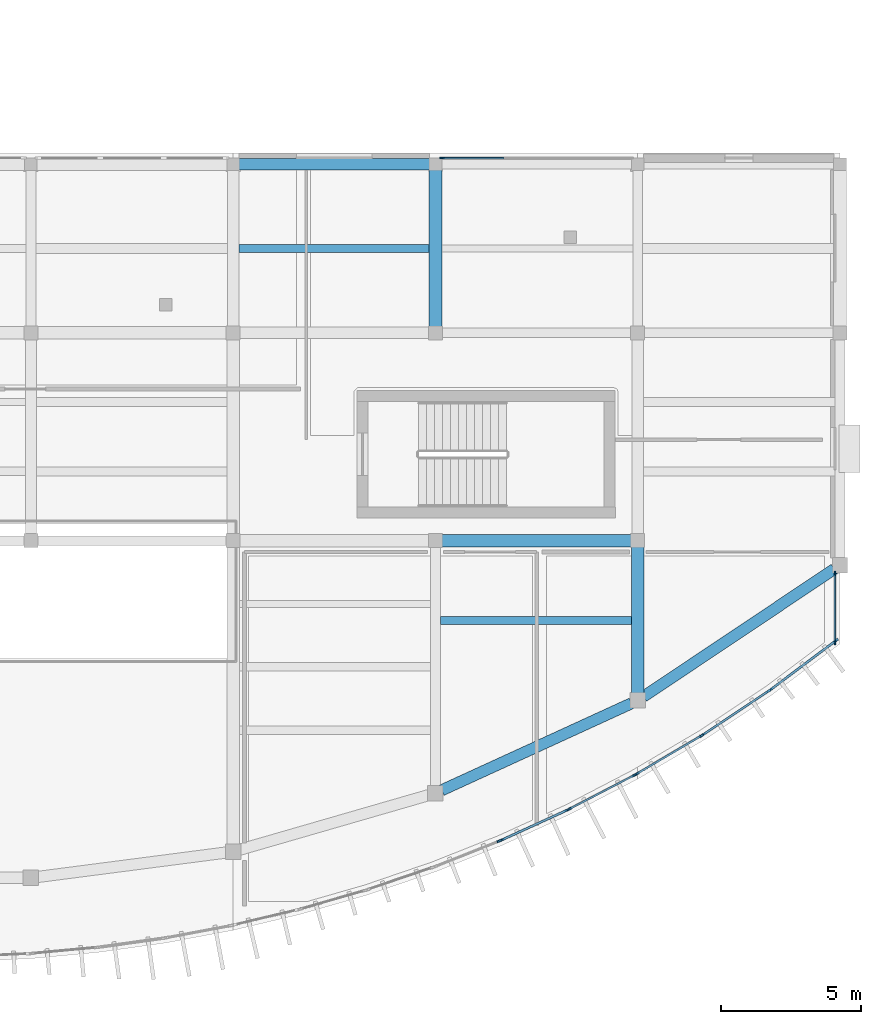
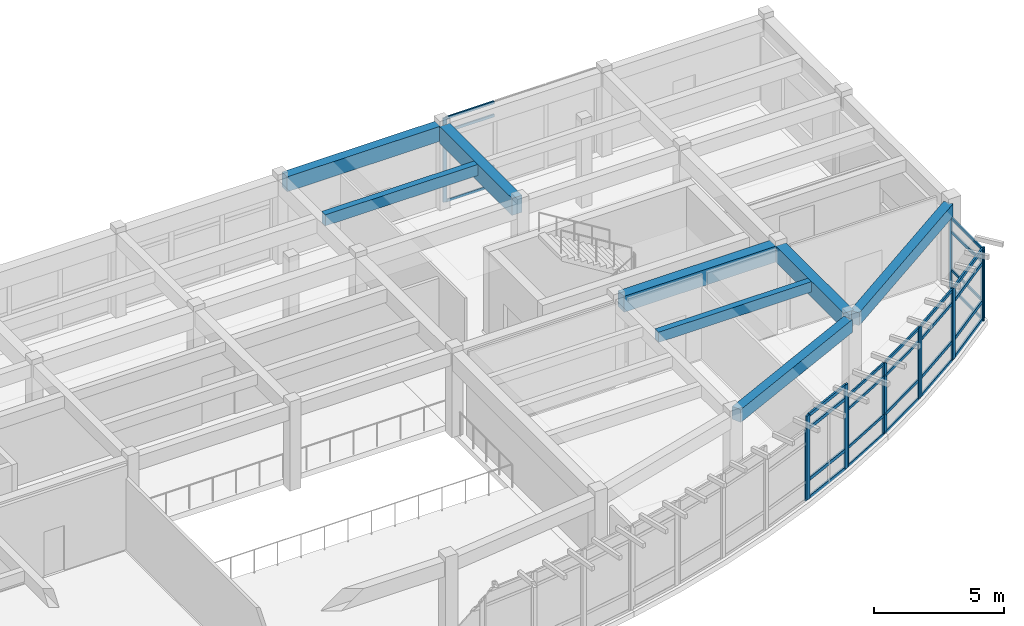
# One storey, part 25 of 60: 42 members, 8 beams, 8 elements without a shape of their own.
"""IFC4 building model written with IfcOpenShell, lengths in metres."""

import ifcopenshell
import ifcopenshell.guid

model = None  # the IFC model being written
_history = None  # IfcOwnerHistory: only IFC2X3 demands one
_inside = {}  # id of a spatial element -> (the spatial element, [elements in it])
_under = {}  # id of a project, library or spatial element -> (it, [spatial elements below it])
_declared = {}  # id of a project -> (the project, [libraries it declares])
_typed = {}  # id of a type object -> (the type object, [elements of that type])
_made_of = {}  # id of a material, layer set ... -> (it, [elements and type objects made of it])


def new_model(schema):
    """Start an empty IFC model of exactly this schema.

    Asked for "IFC4X3", IfcOpenShell would pick the latest addendum, in which some entities
    have other attributes; the version numbers below select the first issue.
    IFC2X3 requires an IfcOwnerHistory on every rooted entity: one is made here for all.
    """
    global model, _history
    if schema == "IFC4X3":
        model = ifcopenshell.file(schema_version=(4, 3, 0, 0))
    else:
        model = ifcopenshell.file(schema=schema)
    _inside.clear()
    _under.clear()
    _declared.clear()
    _typed.clear()
    _made_of.clear()
    _history = None
    if model.schema == "IFC2X3":
        org = make("IfcOrganization", Name="unknown")
        user = make(
            "IfcPersonAndOrganization",
            ThePerson=make("IfcPerson", FamilyName="unknown"),
            TheOrganization=org,
        )
        app = make(
            "IfcApplication",
            ApplicationDeveloper=org,
            Version="unknown",
            ApplicationFullName="unknown",
            ApplicationIdentifier="unknown",
        )
        _history = make(
            "IfcOwnerHistory",
            OwningUser=user,
            OwningApplication=app,
            ChangeAction="ADDED",
            CreationDate=0,
        )
    return model


def make(cls, **values):
    """One entity of the class cls with the attributes given. An attribute that is None is left unset."""
    return model.create_entity(
        cls, **{name: value for name, value in values.items() if value is not None}
    )


def rooted(cls, **values):
    """An entity with a GlobalId (a new one), such as an element, a storey or a relation."""
    return make(cls, GlobalId=ifcopenshell.guid.new(), OwnerHistory=_history, **values)


def si_unit(unit_type, name, prefix=None):
    """IfcSIUnit, for example si_unit("LENGTHUNIT", "METRE", prefix="MILLI")."""
    return make("IfcSIUnit", UnitType=unit_type, Prefix=prefix, Name=name)


def assignment(units):
    """IfcUnitAssignment: the units of a project."""
    return None if units is None else make("IfcUnitAssignment", Units=units)


def point(xyz):
    """IfcCartesianPoint."""
    return None if xyz is None else make("IfcCartesianPoint", Coordinates=xyz)


def direction(xyz):
    """IfcDirection."""
    return None if xyz is None else make("IfcDirection", DirectionRatios=xyz)


def frame(location, z_axis=None, x_axis=None):
    """IfcAxis2Placement3D, a coordinate frame: its origin and axes. An axis left out is left unset."""
    return make(
        "IfcAxis2Placement3D",
        Location=point(location),
        Axis=direction(z_axis),
        RefDirection=direction(x_axis),
    )


def frame_2d(location, x_axis=None):
    """IfcAxis2Placement2D, a coordinate frame in the plane: its origin and x axis."""
    return make(
        "IfcAxis2Placement2D", Location=point(location), RefDirection=direction(x_axis)
    )


def origin():
    """The frame at (0, 0, 0) with its axes left unset."""
    return frame((0.0, 0.0, 0.0))


def origin_2d():
    """The frame at (0, 0) in the plane with its x axis left unset."""
    return frame_2d((0.0, 0.0))


def place(relative_to, where):
    """IfcLocalPlacement: puts the frame where relative to a parent placement (None: the world)."""
    return make(
        "IfcLocalPlacement", PlacementRelTo=relative_to, RelativePlacement=where
    )


def context(
    kind, dimensions, precision=None, world=None, true_north=None, identifier=None
):
    """IfcGeometricRepresentationContext, for example the 3D "Model" context."""
    return make(
        "IfcGeometricRepresentationContext",
        ContextIdentifier=identifier,
        ContextType=kind,
        CoordinateSpaceDimension=dimensions,
        Precision=precision,
        WorldCoordinateSystem=world,
        TrueNorth=true_north,
    )


def subcontext(parent, identifier, kind, view, scale=None):
    """IfcGeometricRepresentationSubContext, for example "Body" below "Model"."""
    return make(
        "IfcGeometricRepresentationSubContext",
        ContextIdentifier=identifier,
        ContextType=kind,
        ParentContext=parent,
        TargetScale=scale,
        TargetView=view,
    )


def project(units=None, contexts=None):
    """IfcProject with its units and contexts."""
    return rooted(
        "IfcProject",
        Name="project",
        RepresentationContexts=contexts,
        UnitsInContext=assignment(units),
    )


def spatial(cls, under=None, at=None, **own):
    """A site, building, storey or space (cls), placed at a placement, below another one or the project."""
    s = rooted(cls, ObjectPlacement=at, **own)
    if under is not None:
        _under.setdefault(under.id(), (under, []))[1].append(s)
    return s


def profile(cls, at=None, kind="AREA", **sizes):
    """A parametric profile (cls). Its sizes go by their IFC names, for example OverallWidth=200.0."""
    return make(cls, ProfileType=kind, Position=at, **sizes)


def rectangle(**sizes):
    """IfcRectangleProfileDef."""
    return profile("IfcRectangleProfileDef", **sizes)


def extrude(swept, where, along, depth):
    """IfcExtrudedAreaSolid: the profile swept, set in the frame where, extruded along a direction by depth."""
    return make(
        "IfcExtrudedAreaSolid",
        SweptArea=swept,
        Position=where,
        ExtrudedDirection=direction(along),
        Depth=depth,
    )


def shape(context_of_items, identifier, shape_type, items):
    """IfcShapeRepresentation: the items that make up one representation, for example the "Body"."""
    return make(
        "IfcShapeRepresentation",
        ContextOfItems=context_of_items,
        RepresentationIdentifier=identifier,
        RepresentationType=shape_type,
        Items=items,
    )


def material(Name=None, Category=None):
    """IfcMaterial."""
    return make("IfcMaterial", Name=Name, Category=Category)


def layer(
    of_material, thickness, ventilated=None, Name=None, Category=None, Priority=None
):
    """IfcMaterialLayer: one layer of a wall or slab, of a material (None: an air gap)."""
    return make(
        "IfcMaterialLayer",
        Material=of_material,
        LayerThickness=thickness,
        IsVentilated=ventilated,
        Name=Name,
        Category=Category,
        Priority=Priority,
    )


def layer_set(layers, Name=None):
    """IfcMaterialLayerSet."""
    return make("IfcMaterialLayerSet", MaterialLayers=layers, LayerSetName=Name)


def material_profile(
    of_material, cross_section, Name=None, Category=None, Priority=None
):
    """IfcMaterialProfile: a cross section and its material."""
    return make(
        "IfcMaterialProfile",
        Name=Name,
        Material=of_material,
        Profile=cross_section,
        Priority=Priority,
        Category=Category,
    )


def profile_set(profiles, Name=None, composite=None):
    """IfcMaterialProfileSet."""
    return make(
        "IfcMaterialProfileSet",
        Name=Name,
        MaterialProfiles=profiles,
        CompositeProfile=composite,
    )


def made_of(thing, what):
    """Note that an element or type object is made of a material, layer set ...; save() writes the relation."""
    if what is not None:
        _made_of.setdefault(what.id(), (what, []))[1].append(thing)
    return thing


def type_object(cls, material=None, **own):
    """A type object (cls), such as IfcWallType, which elements share."""
    return made_of(rooted(cls, **own), material)


def element(
    cls,
    number,
    at=None,
    inside=None,
    cuts=None,
    type_object=None,
    material=None,
    context=None,
    identifier="Body",
    shape_type=None,
    held_by="IfcProductDefinitionShape",
    body=None,
    shapes=None,
    **own,
):
    """One element of the class cls, such as IfcWall. Its Tag is "e" and its number.

    at: its placement. inside: the storey or other place that contains it. cuts: it is an
    opening in that element (IfcRelVoidsElement). A single representation is given by context,
    identifier, shape_type and body (its items); several are given by shapes. held_by: the class
    of the entity that holds the representations. save() writes the other relations.
    """
    e = rooted(cls, Tag="e%d" % number, ObjectPlacement=at, **own)
    if body is not None:
        shapes = [shape(context, identifier, shape_type, body)]
    if shapes is not None:
        e.Representation = make(held_by, Representations=shapes)
    if inside is not None:
        _inside.setdefault(inside.id(), (inside, []))[1].append(e)
    if cuts is not None:
        rooted(
            "IfcRelVoidsElement", RelatingBuildingElement=cuts, RelatedOpeningElement=e
        )
    if type_object is not None:
        _typed.setdefault(type_object.id(), (type_object, []))[1].append(e)
    return made_of(e, material)


def aggregate(whole, parts):
    """IfcRelAggregates: a whole, such as a stair, and the parts it consists of."""
    return rooted("IfcRelAggregates", RelatingObject=whole, RelatedObjects=parts)


def save(model, path):
    """Write the relations noted so far, then the file.

    IfcRelAggregates (storeys below a building ...), IfcRelContainedInSpatialStructure (elements
    in a storey), IfcRelDefinesByType, IfcRelAssociatesMaterial and IfcRelDeclares: one each for
    every whole, place, type object, material and project.
    """
    for whole, parts in _under.values():
        aggregate(whole, parts)
    for where, things in _inside.values():
        rooted(
            "IfcRelContainedInSpatialStructure",
            RelatedElements=things,
            RelatingStructure=where,
        )
    for kind, things in _typed.values():
        rooted("IfcRelDefinesByType", RelatedObjects=things, RelatingType=kind)
    for what, things in _made_of.values():
        rooted("IfcRelAssociatesMaterial", RelatedObjects=things, RelatingMaterial=what)
    for by, libraries in _declared.values():
        rooted("IfcRelDeclares", RelatingContext=by, RelatedDefinitions=libraries)
    model.write(path)


model = new_model("IFC4")

# Units and contexts
model_context = context("Model", 3, precision=1e-05, world=origin(), true_north=direction((0.0, 1.0)))
body_context = subcontext(model_context, "Body", "Model", "MODEL_VIEW")
ifc_project = project(units=[si_unit("LENGTHUNIT", "METRE"), si_unit("AREAUNIT", "SQUARE_METRE"), si_unit("VOLUMEUNIT", "CUBIC_METRE"), si_unit("PLANEANGLEUNIT", "RADIAN"), si_unit("MASSUNIT", "GRAM", prefix="KILO")], contexts=[model_context])

# Site, building, storey
site_placement = place(None, origin())
site = spatial("IfcSite", under=ifc_project, at=site_placement, CompositionType="ELEMENT")
building_placement = place(site_placement, origin())
building = spatial("IfcBuilding", under=site, at=building_placement, Name="Brisavento Harbour Community Centre", CompositionType="ELEMENT")
storey_placement = place(building_placement, frame((0.0, 0.0, 4.5)))
storey = spatial("IfcBuildingStorey", under=building, at=storey_placement, Name="L01", CompositionType="ELEMENT", Elevation=4.5)

# Beams
ifc_material_1 = material(Name="Concrete C35/45", Category="concrete")
ifc_material_profile_1 = material_profile(ifc_material_1, rectangle(XDim=0.280029296875, YDim=0.47998046875, at=origin_2d()), Name="Concrete C35/45")
ifc_profile_set_1 = profile_set([ifc_material_profile_1], Name="Concrete C35/45")
beam_type_1 = type_object("IfcBeamType", Name="BM-JST-280x480", PredefinedType="JOIST", material=ifc_profile_set_1)
beam_1_placement = place(storey_placement, frame((158.574951171875, 12.156982421875, 3.7099609375), z_axis=(1.0, 0.0, 0.0), x_axis=(0.0, 1.0, 0.0)))
element("IfcBeam", 1, at=beam_1_placement, inside=storey, type_object=beam_type_1, Name="L01 secondary floor joist 0279", PredefinedType="JOIST", context=body_context, shape_type="SweptSolid", body=[
    extrude(rectangle(XDim=0.280029296875, YDim=0.47998046875, at=origin_2d()), origin(), (0.0, 0.0, 1.0), 6.800048828125),
])
ifc_material_profile_2 = material_profile(ifc_material_1, rectangle(XDim=0.280029296875, YDim=0.52001953125, at=origin_2d()), Name="Concrete C35/45")
ifc_profile_set_2 = profile_set([ifc_material_profile_2], Name="Concrete C35/45")
beam_type_2 = type_object("IfcBeamType", Name="BM-JST-280x520", PredefinedType="JOIST", material=ifc_profile_set_2)
beam_2_placement = place(storey_placement, frame((151.39990234375, 25.39990234375, 3.68994140625), z_axis=(1.0, 0.0, 0.0), x_axis=(0.0, 1.0, 0.0)))
element("IfcBeam", 2, at=beam_2_placement, inside=storey, type_object=beam_type_2, Name="L01 secondary floor joist 0278", PredefinedType="JOIST", context=body_context, shape_type="SweptSolid", body=[
    extrude(rectangle(XDim=0.280029296875, YDim=0.52001953125, at=origin_2d()), origin(), (0.0, 0.0, 1.0), 6.775146484375),
])
ifc_material_profile_3 = material_profile(ifc_material_1, rectangle(XDim=0.39990234375, YDim=0.699951171875, at=origin_2d()), Name="Concrete C35/45")
ifc_profile_set_3 = profile_set([ifc_material_profile_3], Name="Concrete C35/45")
beam_type_3 = type_object("IfcBeamType", Name="BM-RC-400x700", PredefinedType="BEAM", material=ifc_profile_set_3)
beam_3_placement = place(storey_placement, frame((151.39501953125, 28.39990234375, 3.60009765625), z_axis=(1.0, 0.0, 0.0), x_axis=(0.0, 1.0, 0.0)))
element("IfcBeam", 3, at=beam_3_placement, inside=storey, type_object=beam_type_3, Name="L01 primary girder X0437", PredefinedType="BEAM", context=body_context, shape_type="SweptSolid", body=[
    extrude(rectangle(XDim=0.39990234375, YDim=0.699951171875, at=origin_2d()), origin(), (0.0, 0.0, 1.0), 6.81005859375),
])
ifc_material_profile_4 = material_profile(ifc_material_1, rectangle(XDim=0.449951171875, YDim=0.75, at=origin_2d()), Name="Concrete C35/45")
ifc_profile_set_4 = profile_set([ifc_material_profile_4], Name="Concrete C35/45")
beam_type_4 = type_object("IfcBeamType", Name="BM-RC-450x750", PredefinedType="BEAM", material=ifc_profile_set_4)
beam_4_placement = place(storey_placement, frame((158.6201171875, 15.0, 3.574951171875), z_axis=(1.0, 0.0, 0.0), x_axis=(0.0, 1.0, 0.0)))
element("IfcBeam", 4, at=beam_4_placement, inside=storey, type_object=beam_type_4, Name="L01 primary girder X0416", PredefinedType="BEAM", context=body_context, shape_type="SweptSolid", body=[
    extrude(rectangle(XDim=0.449951171875, YDim=0.75, at=origin_2d()), origin(), (0.0, 0.0, 1.0), 6.759765625),
])
beam_5_placement = place(storey_placement, frame((165.60009765625, 9.55908203125, 3.574951171875), z_axis=(0.0, 1.0, 0.0), x_axis=(-1.0, 0.0, 0.0)))
element("IfcBeam", 5, at=beam_5_placement, inside=storey, type_object=beam_type_4, Name="L01 primary girder Y0526", PredefinedType="BEAM", context=body_context, shape_type="SweptSolid", body=[
    extrude(rectangle(XDim=0.449951171875, YDim=0.75, at=origin_2d()), origin(), (0.0, 0.0, 1.0), 5.220947265625),
])
ifc_material_profile_5 = material_profile(ifc_material_1, rectangle(XDim=0.449951171875, YDim=0.800048828125, at=origin_2d()), Name="Concrete C35/45")
ifc_profile_set_5 = profile_set([ifc_material_profile_5], Name="Concrete C35/45")
beam_type_5 = type_object("IfcBeamType", Name="BM-RC-450x800", PredefinedType="BEAM", material=ifc_profile_set_5)
beam_6_placement = place(storey_placement, frame((158.39990234375, 22.6201171875, 3.550048828125), z_axis=(0.0, 1.0, 0.0), x_axis=(-1.0, 0.0, 0.0)))
element("IfcBeam", 6, at=beam_6_placement, inside=storey, type_object=beam_type_5, Name="L01 primary girder Y0525", PredefinedType="BEAM", context=body_context, shape_type="SweptSolid", body=[
    extrude(rectangle(XDim=0.449951171875, YDim=0.800048828125, at=origin_2d()), origin(), (0.0, 0.0, 1.0), 5.5849609375),
])
ifc_material_profile_6 = material_profile(ifc_material_1, rectangle(XDim=0.39990234375, YDim=0.60009765625, at=origin_2d()), Name="Concrete C35/45")
ifc_profile_set_6 = profile_set([ifc_material_profile_6], Name="Concrete C35/45")
beam_type_6 = type_object("IfcBeamType", Name="BM-SPN-400x600", PredefinedType="SPANDREL", material=ifc_profile_set_6)
beam_7_placement = place(storey_placement, frame((158.622802734375, 6.1171875, 3.64990234375), z_axis=(0.909117712907, 0.416539294759, 0.0), x_axis=(-0.416539294759, 0.909117712907, 0.0)))
element("IfcBeam", 7, at=beam_7_placement, inside=storey, type_object=beam_type_6, Name="L01 curved perimeter spandrel 0542", PredefinedType="SPANDREL", context=body_context, shape_type="SweptSolid", body=[
    extrude(rectangle(XDim=0.39990234375, YDim=0.60009765625, at=origin_2d()), origin(), (0.0, 0.0, 1.0), 7.4296875),
])
beam_8_placement = place(storey_placement, frame((165.8037109375, 9.4501953125, 3.64990234375), z_axis=(0.831304857774, 0.555816726486, 0.0), x_axis=(-0.555816726486, 0.831304857774, 0.0)))
element("IfcBeam", 8, at=beam_8_placement, inside=storey, type_object=beam_type_6, Name="L01 curved perimeter spandrel 0543", PredefinedType="SPANDREL", context=body_context, shape_type="SweptSolid", body=[
    extrude(rectangle(XDim=0.39990234375, YDim=0.60009765625, at=origin_2d()), origin(), (0.0, 0.0, 1.0), 8.1708984375),
])

# Curtain wall, members
ifc_material_2 = material(Name="Marine-anodised aluminium AW-6063-T6", Category="aluminium")
ifc_layer_1 = layer(ifc_material_2, 0.179931640625, Name="Marine-anodised aluminium AW-6063-T6")
ifc_layer_set_1 = layer_set([ifc_layer_1], Name="Marine-anodised aluminium AW-6063-T6")
curtain_wall_type_1 = type_object("IfcCurtainWallType", Name="CW-SYS-25", PredefinedType="USERDEFINED", material=ifc_layer_set_1)
curtain_wall_1_placement = place(storey_placement, origin())
curtain_wall_1 = element("IfcCurtainWall", 9, at=curtain_wall_1_placement, inside=storey, type_object=curtain_wall_type_1, Name="L01 V3 unitised curtain wall 081", ObjectType="UNITISED CURTAIN WALL", PredefinedType="USERDEFINED")
ifc_material_profile_7 = material_profile(ifc_material_2, rectangle(XDim=0.06494140625, YDim=0.1650390625, at=origin_2d()), Name="Marine-anodised aluminium AW-6063-T6")
ifc_profile_set_7 = profile_set([ifc_material_profile_7], Name="Marine-anodised aluminium AW-6063-T6")
member_type_1 = type_object("IfcMemberType", Name="CWM-01", PredefinedType="MULLION", material=ifc_profile_set_7)
member_1_placement = place(storey_placement, frame((165.47216796875, 6.650634765625, 0.0), z_axis=(0.0, 0.0, 1.0), x_axis=(0.461718322689, -0.887026600781, 0.0)))
member_1 = element("IfcMember", 10, at=member_1_placement, type_object=member_type_1, Name="CW-25 mullion 1", PredefinedType="MULLION", context=body_context, shape_type="SweptSolid", body=[
    extrude(rectangle(XDim=0.06494140625, YDim=0.1650390625, at=origin_2d()), origin(), (0.0, 0.0, 1.0), 3.35009765625),
])
member_2_placement = place(storey_placement, frame((163.16162109375, 5.447998046875, 0.0), z_axis=(0.0, 0.0, 1.0), x_axis=(0.461718322689, -0.887026600781, 0.0)))
member_2 = element("IfcMember", 11, at=member_2_placement, type_object=member_type_1, Name="CW-25 mullion 2", PredefinedType="MULLION", context=body_context, shape_type="SweptSolid", body=[
    extrude(rectangle(XDim=0.06494140625, YDim=0.1650390625, at=origin_2d()), origin(), (0.0, 0.0, 1.0), 3.35009765625),
])

ifc_layer_2 = layer(ifc_material_2, 0.179931640625, Name="Marine-anodised aluminium AW-6063-T6")
ifc_layer_set_2 = layer_set([ifc_layer_2], Name="Marine-anodised aluminium AW-6063-T6")
curtain_wall_type_2 = type_object("IfcCurtainWallType", Name="CW-SYS-01", PredefinedType="USERDEFINED", material=ifc_layer_set_2)
curtain_wall_2_placement = place(storey_placement, origin())
curtain_wall_2 = element("IfcCurtainWall", 12, at=curtain_wall_2_placement, inside=storey, type_object=curtain_wall_type_2, Name="L01 V3 unitised curtain wall 085", ObjectType="UNITISED CURTAIN WALL", PredefinedType="USERDEFINED")
member_3_placement = place(storey_placement, frame((172.6201171875, 13.83544921875, 0.0), z_axis=(0.0, 0.0, 1.0), x_axis=(1.0, 0.0, 0.0)))
member_3 = element("IfcMember", 13, at=member_3_placement, type_object=member_type_1, Name="CW-01 mullion 1", PredefinedType="MULLION", context=body_context, shape_type="SweptSolid", body=[
    extrude(rectangle(XDim=0.06494140625, YDim=0.1650390625, at=origin_2d()), origin(), (0.0, 0.0, 1.0), 3.35009765625),
])
member_4_placement = place(storey_placement, frame((172.6201171875, 11.378173828125, 0.0), z_axis=(0.0, 0.0, 1.0), x_axis=(1.0, 0.0, 0.0)))
member_4 = element("IfcMember", 14, at=member_4_placement, type_object=member_type_1, Name="CW-01 mullion 2", PredefinedType="MULLION", context=body_context, shape_type="SweptSolid", body=[
    extrude(rectangle(XDim=0.06494140625, YDim=0.1650390625, at=origin_2d()), origin(), (0.0, 0.0, 1.0), 3.35009765625),
])

# Curtain wall, member
ifc_layer_3 = layer(ifc_material_2, 0.179931640625, Name="Marine-anodised aluminium AW-6063-T6")
ifc_layer_set_3 = layer_set([ifc_layer_3], Name="Marine-anodised aluminium AW-6063-T6")
curtain_wall_type_3 = type_object("IfcCurtainWallType", Name="CW-SYS-05", PredefinedType="USERDEFINED", material=ifc_layer_set_3)
curtain_wall_3_placement = place(storey_placement, origin())
curtain_wall_3 = element("IfcCurtainWall", 15, at=curtain_wall_3_placement, inside=storey, type_object=curtain_wall_type_3, Name="L01 V3 unitised curtain wall 089", ObjectType="UNITISED CURTAIN WALL", PredefinedType="USERDEFINED")
member_5_placement = place(storey_placement, frame((158.642578125, 28.6201171875, 0.0), z_axis=(0.0, 0.0, 1.0), x_axis=(0.0, 1.0, 0.0)))
member_5 = element("IfcMember", 16, at=member_5_placement, type_object=member_type_1, Name="CW-05 mullion 1", PredefinedType="MULLION", context=body_context, shape_type="SweptSolid", body=[
    extrude(rectangle(XDim=0.06494140625, YDim=0.1650390625, at=origin_2d()), origin(), (0.0, 0.0, 1.0), 3.949951171875),
])

# Curtain wall, members
ifc_layer_4 = layer(ifc_material_2, 0.179931640625, Name="Marine-anodised aluminium AW-6063-T6")
ifc_layer_set_4 = layer_set([ifc_layer_4], Name="Marine-anodised aluminium AW-6063-T6")
curtain_wall_type_4 = type_object("IfcCurtainWallType", Name="CW-SYS-26", PredefinedType="USERDEFINED", material=ifc_layer_set_4)
curtain_wall_4_placement = place(storey_placement, origin())
curtain_wall_4 = element("IfcCurtainWall", 17, at=curtain_wall_4_placement, inside=storey, type_object=curtain_wall_type_4, Name="L01 V3 unitised curtain wall 082", ObjectType="UNITISED CURTAIN WALL", PredefinedType="USERDEFINED")
ifc_material_profile_8 = material_profile(ifc_material_2, rectangle(XDim=0.070068359375, YDim=0.179931640625, at=origin_2d()), Name="Marine-anodised aluminium AW-6063-T6")
ifc_profile_set_8 = profile_set([ifc_material_profile_8], Name="Marine-anodised aluminium AW-6063-T6")
member_type_2 = type_object("IfcMemberType", Name="CWM-02", PredefinedType="MULLION", material=ifc_profile_set_8)
member_6_placement = place(storey_placement, frame((167.863037109375, 8.057373046875, 0.0), z_axis=(0.0, 0.0, 1.0), x_axis=(0.50787640703, -0.861429947925, 0.0)))
member_6 = element("IfcMember", 18, at=member_6_placement, type_object=member_type_2, Name="CW-26 mullion 1", PredefinedType="MULLION", context=body_context, shape_type="SweptSolid", body=[
    extrude(rectangle(XDim=0.070068359375, YDim=0.179931640625, at=origin_2d()), origin(), (0.0, 0.0, 1.0), 3.35009765625),
])
member_7_placement = place(storey_placement, frame((165.55419921875, 6.6962890625, 0.0), z_axis=(0.0, 0.0, 1.0), x_axis=(0.50787640703, -0.861429947925, 0.0)))
member_7 = element("IfcMember", 19, at=member_7_placement, type_object=member_type_2, Name="CW-26 mullion 2", PredefinedType="MULLION", context=body_context, shape_type="SweptSolid", body=[
    extrude(rectangle(XDim=0.070068359375, YDim=0.179931640625, at=origin_2d()), origin(), (0.0, 0.0, 1.0), 3.35009765625),
])

# Curtain wall, member
ifc_layer_5 = layer(ifc_material_2, 0.179931640625, Name="Marine-anodised aluminium AW-6063-T6")
ifc_layer_set_5 = layer_set([ifc_layer_5], Name="Marine-anodised aluminium AW-6063-T6")
curtain_wall_type_5 = type_object("IfcCurtainWallType", Name="CW-SYS-23", PredefinedType="USERDEFINED", material=ifc_layer_set_5)
curtain_wall_5_placement = place(storey_placement, origin())
curtain_wall_5 = element("IfcCurtainWall", 20, at=curtain_wall_5_placement, inside=storey, type_object=curtain_wall_type_5, Name="L01 V3 unitised curtain wall 079", ObjectType="UNITISED CURTAIN WALL", PredefinedType="USERDEFINED")
ifc_material_profile_9 = material_profile(ifc_material_2, rectangle(XDim=0.074951171875, YDim=0.18994140625, at=origin_2d()), Name="Marine-anodised aluminium AW-6063-T6")
ifc_profile_set_9 = profile_set([ifc_material_profile_9], Name="Marine-anodised aluminium AW-6063-T6")
member_type_3 = type_object("IfcMemberType", Name="CWM-03", PredefinedType="MULLION", material=ifc_profile_set_9)
member_8_placement = place(storey_placement, frame((160.681884765625, 4.3154296875, 0.0), z_axis=(0.0, 0.0, 1.0), x_axis=(0.369379094613, -0.929278798027, 0.0)))
member_8 = element("IfcMember", 21, at=member_8_placement, type_object=member_type_3, Name="CW-23 mullion 1", PredefinedType="MULLION", context=body_context, shape_type="SweptSolid", body=[
    extrude(rectangle(XDim=0.074951171875, YDim=0.18994140625, at=origin_2d()), origin(), (0.0, 0.0, 1.0), 3.35009765625),
])
aggregate(curtain_wall_5, [member_8])

# Curtain wall, members
ifc_layer_6 = layer(ifc_material_2, 0.179931640625, Name="Marine-anodised aluminium AW-6063-T6")
ifc_layer_set_6 = layer_set([ifc_layer_6], Name="Marine-anodised aluminium AW-6063-T6")
curtain_wall_type_6 = type_object("IfcCurtainWallType", Name="CW-SYS-27", PredefinedType="USERDEFINED", material=ifc_layer_set_6)
curtain_wall_6_placement = place(storey_placement, origin())
curtain_wall_6 = element("IfcCurtainWall", 22, at=curtain_wall_6_placement, inside=storey, type_object=curtain_wall_type_6, Name="L01 V3 unitised curtain wall 083", ObjectType="UNITISED CURTAIN WALL", PredefinedType="USERDEFINED")
member_9_placement = place(storey_placement, frame((170.254150390625, 9.6455078125, 0.0), z_axis=(0.0, 0.0, 1.0), x_axis=(0.554067779199, -0.832471558705, 0.0)))
member_9 = element("IfcMember", 23, at=member_9_placement, type_object=member_type_3, Name="CW-27 mullion 1", PredefinedType="MULLION", context=body_context, shape_type="SweptSolid", body=[
    extrude(rectangle(XDim=0.074951171875, YDim=0.18994140625, at=origin_2d()), origin(), (0.0, 0.0, 1.0), 3.35009765625),
])
member_10_placement = place(storey_placement, frame((167.946533203125, 8.10986328125, 0.0), z_axis=(0.0, 0.0, 1.0), x_axis=(0.554067779199, -0.832471558705, 0.0)))
member_10 = element("IfcMember", 24, at=member_10_placement, type_object=member_type_3, Name="CW-27 mullion 2", PredefinedType="MULLION", context=body_context, shape_type="SweptSolid", body=[
    extrude(rectangle(XDim=0.074951171875, YDim=0.18994140625, at=origin_2d()), origin(), (0.0, 0.0, 1.0), 3.35009765625),
])

ifc_layer_7 = layer(ifc_material_2, 0.179931640625, Name="Marine-anodised aluminium AW-6063-T6")
ifc_layer_set_7 = layer_set([ifc_layer_7], Name="Marine-anodised aluminium AW-6063-T6")
curtain_wall_type_7 = type_object("IfcCurtainWallType", Name="CW-SYS-24", PredefinedType="USERDEFINED", material=ifc_layer_set_7)
curtain_wall_7_placement = place(storey_placement, origin())
curtain_wall_7 = element("IfcCurtainWall", 25, at=curtain_wall_7_placement, inside=storey, type_object=curtain_wall_type_7, Name="L01 V3 unitised curtain wall 080", ObjectType="UNITISED CURTAIN WALL", PredefinedType="USERDEFINED")
ifc_material_profile_10 = material_profile(ifc_material_2, rectangle(XDim=0.080078125, YDim=0.2099609375, at=origin_2d()), Name="Marine-anodised aluminium AW-6063-T6")
ifc_profile_set_10 = profile_set([ifc_material_profile_10], Name="Marine-anodised aluminium AW-6063-T6")
member_type_4 = type_object("IfcMemberType", Name="CWM-04", PredefinedType="MULLION", material=ifc_profile_set_10)
member_11_placement = place(storey_placement, frame((163.072509765625, 5.404541015625, 0.0), z_axis=(0.0, 0.0, 1.0), x_axis=(0.415490040189, -0.909597727846, 0.0)))
member_11 = element("IfcMember", 26, at=member_11_placement, type_object=member_type_4, Name="CW-24 mullion 1", PredefinedType="MULLION", context=body_context, shape_type="SweptSolid", body=[
    extrude(rectangle(XDim=0.080078125, YDim=0.2099609375, at=origin_2d()), origin(), (0.0, 0.0, 1.0), 3.949951171875),
])
member_12_placement = place(storey_placement, frame((160.778076171875, 4.3564453125, 0.0), z_axis=(0.0, 0.0, 1.0), x_axis=(0.415490040189, -0.909597727846, 0.0)))
member_12 = element("IfcMember", 27, at=member_12_placement, type_object=member_type_4, Name="CW-24 mullion 2", PredefinedType="MULLION", context=body_context, shape_type="SweptSolid", body=[
    extrude(rectangle(XDim=0.080078125, YDim=0.2099609375, at=origin_2d()), origin(), (0.0, 0.0, 1.0), 3.949951171875),
])

ifc_layer_8 = layer(ifc_material_2, 0.179931640625, Name="Marine-anodised aluminium AW-6063-T6")
ifc_layer_set_8 = layer_set([ifc_layer_8], Name="Marine-anodised aluminium AW-6063-T6")
curtain_wall_type_8 = type_object("IfcCurtainWallType", Name="CW-SYS-28", PredefinedType="USERDEFINED", material=ifc_layer_set_8)
curtain_wall_8_placement = place(storey_placement, origin())
curtain_wall_8 = element("IfcCurtainWall", 28, at=curtain_wall_8_placement, inside=storey, type_object=curtain_wall_type_8, Name="L01 V3 unitised curtain wall 084", ObjectType="UNITISED CURTAIN WALL", PredefinedType="USERDEFINED")
member_13_placement = place(storey_placement, frame((172.6455078125, 11.436767578125, 0.0), z_axis=(0.0, 0.0, 1.0), x_axis=(0.600259014917, -0.79980567328, 0.0)))
member_13 = element("IfcMember", 29, at=member_13_placement, type_object=member_type_4, Name="CW-28 mullion 1", PredefinedType="MULLION", context=body_context, shape_type="SweptSolid", body=[
    extrude(rectangle(XDim=0.080078125, YDim=0.2099609375, at=origin_2d()), origin(), (0.0, 0.0, 1.0), 3.35009765625),
])
member_14_placement = place(storey_placement, frame((170.33837890625, 9.705322265625, 0.0), z_axis=(0.0, 0.0, 1.0), x_axis=(0.600259014917, -0.79980567328, 0.0)))
member_14 = element("IfcMember", 30, at=member_14_placement, type_object=member_type_4, Name="CW-28 mullion 2", PredefinedType="MULLION", context=body_context, shape_type="SweptSolid", body=[
    extrude(rectangle(XDim=0.080078125, YDim=0.2099609375, at=origin_2d()), origin(), (0.0, 0.0, 1.0), 3.35009765625),
])

# Member
ifc_material_profile_11 = material_profile(ifc_material_2, rectangle(XDim=0.06494140625, YDim=0.125, at=origin_2d()), Name="Marine-anodised aluminium AW-6063-T6")
ifc_profile_set_11 = profile_set([ifc_material_profile_11], Name="Marine-anodised aluminium AW-6063-T6")
member_type_5 = type_object("IfcMemberType", Name="CWT-01", PredefinedType="USERDEFINED", material=ifc_profile_set_11)
member_15_placement = place(storey_placement, frame((165.443359375, 6.635498046875, 0.032470703125), z_axis=(-0.887021549542, -0.461728026709, 0.0), x_axis=(0.461728026709, -0.887021549542, 0.0)))
member_15 = element("IfcMember", 31, at=member_15_placement, type_object=member_type_5, Name="CW-25 transom 1.1", ObjectType="TRANSOM", PredefinedType="USERDEFINED", context=body_context, shape_type="SweptSolid", body=[
    extrude(rectangle(XDim=0.06494140625, YDim=0.125, at=origin_2d()), origin(), (0.0, 0.0, 1.0), 2.53955078125),
])

member_16_placement = place(storey_placement, frame((165.443359375, 6.635498046875, 0.89990234375), z_axis=(-0.887021549542, -0.461728026709, 0.0), x_axis=(0.461728026709, -0.887021549542, 0.0)))
member_16 = element("IfcMember", 32, at=member_16_placement, type_object=member_type_5, Name="CW-25 transom 1.2", ObjectType="TRANSOM", PredefinedType="USERDEFINED", context=body_context, shape_type="SweptSolid", body=[
    extrude(rectangle(XDim=0.06494140625, YDim=0.125, at=origin_2d()), origin(), (0.0, 0.0, 1.0), 2.53955078125),
])

member_17_placement = place(storey_placement, frame((165.443359375, 6.635498046875, 2.699951171875), z_axis=(-0.887021549542, -0.461728026709, 0.0), x_axis=(0.461728026709, -0.887021549542, 0.0)))
member_17 = element("IfcMember", 33, at=member_17_placement, type_object=member_type_5, Name="CW-25 transom 1.3", ObjectType="TRANSOM", PredefinedType="USERDEFINED", context=body_context, shape_type="SweptSolid", body=[
    extrude(rectangle(XDim=0.06494140625, YDim=0.125, at=origin_2d()), origin(), (0.0, 0.0, 1.0), 2.53955078125),
])

member_18_placement = place(storey_placement, frame((165.443359375, 6.635498046875, 3.3173828125), z_axis=(-0.887021549542, -0.461728026709, 0.0), x_axis=(0.461728026709, -0.887021549542, 0.0)))
member_18 = element("IfcMember", 34, at=member_18_placement, type_object=member_type_5, Name="CW-25 transom 1.4", ObjectType="TRANSOM", PredefinedType="USERDEFINED", context=body_context, shape_type="SweptSolid", body=[
    extrude(rectangle(XDim=0.06494140625, YDim=0.125, at=origin_2d()), origin(), (0.0, 0.0, 1.0), 2.53955078125),
])

aggregate(curtain_wall_1, [member_1, member_2, member_15, member_16, member_17, member_18])

member_19_placement = place(storey_placement, frame((172.6201171875, 13.802978515625, 0.032470703125), z_axis=(0.0, -1.0, 0.0), x_axis=(1.0, 0.0, 0.0)))
member_19 = element("IfcMember", 35, at=member_19_placement, type_object=member_type_5, Name="CW-01 transom 1.1", ObjectType="TRANSOM", PredefinedType="USERDEFINED", context=body_context, shape_type="SweptSolid", body=[
    extrude(rectangle(XDim=0.06494140625, YDim=0.125, at=origin_2d()), origin(), (0.0, 0.0, 1.0), 2.392333984375),
])

member_20_placement = place(storey_placement, frame((172.6201171875, 13.802978515625, 0.89990234375), z_axis=(0.0, -1.0, 0.0), x_axis=(1.0, 0.0, 0.0)))
member_20 = element("IfcMember", 36, at=member_20_placement, type_object=member_type_5, Name="CW-01 transom 1.2", ObjectType="TRANSOM", PredefinedType="USERDEFINED", context=body_context, shape_type="SweptSolid", body=[
    extrude(rectangle(XDim=0.06494140625, YDim=0.125, at=origin_2d()), origin(), (0.0, 0.0, 1.0), 2.392333984375),
])

member_21_placement = place(storey_placement, frame((172.6201171875, 13.802978515625, 2.699951171875), z_axis=(0.0, -1.0, 0.0), x_axis=(1.0, 0.0, 0.0)))
member_21 = element("IfcMember", 37, at=member_21_placement, type_object=member_type_5, Name="CW-01 transom 1.3", ObjectType="TRANSOM", PredefinedType="USERDEFINED", context=body_context, shape_type="SweptSolid", body=[
    extrude(rectangle(XDim=0.06494140625, YDim=0.125, at=origin_2d()), origin(), (0.0, 0.0, 1.0), 2.392333984375),
])

member_22_placement = place(storey_placement, frame((172.6201171875, 13.802978515625, 3.3173828125), z_axis=(0.0, -1.0, 0.0), x_axis=(1.0, 0.0, 0.0)))
member_22 = element("IfcMember", 38, at=member_22_placement, type_object=member_type_5, Name="CW-01 transom 1.4", ObjectType="TRANSOM", PredefinedType="USERDEFINED", context=body_context, shape_type="SweptSolid", body=[
    extrude(rectangle(XDim=0.06494140625, YDim=0.125, at=origin_2d()), origin(), (0.0, 0.0, 1.0), 2.392333984375),
])

aggregate(curtain_wall_2, [member_3, member_4, member_19, member_20, member_21, member_22])

member_23_placement = place(storey_placement, frame((158.675048828125, 28.6201171875, 0.032470703125), z_axis=(1.0, 0.0, 0.0), x_axis=(0.0, 1.0, 0.0)))
member_23 = element("IfcMember", 39, at=member_23_placement, type_object=member_type_5, Name="CW-05 transom 1.1", ObjectType="TRANSOM", PredefinedType="USERDEFINED", context=body_context, shape_type="SweptSolid", body=[
    extrude(rectangle(XDim=0.06494140625, YDim=0.125, at=origin_2d()), origin(), (0.0, 0.0, 1.0), 2.162353515625),
])

member_24_placement = place(storey_placement, frame((158.675048828125, 28.6201171875, 0.89990234375), z_axis=(1.0, 0.0, 0.0), x_axis=(0.0, 1.0, 0.0)))
member_24 = element("IfcMember", 40, at=member_24_placement, type_object=member_type_5, Name="CW-05 transom 1.2", ObjectType="TRANSOM", PredefinedType="USERDEFINED", context=body_context, shape_type="SweptSolid", body=[
    extrude(rectangle(XDim=0.06494140625, YDim=0.125, at=origin_2d()), origin(), (0.0, 0.0, 1.0), 2.162353515625),
])

member_25_placement = place(storey_placement, frame((158.675048828125, 28.6201171875, 3.300048828125), z_axis=(1.0, 0.0, 0.0), x_axis=(0.0, 1.0, 0.0)))
member_25 = element("IfcMember", 41, at=member_25_placement, type_object=member_type_5, Name="CW-05 transom 1.3", ObjectType="TRANSOM", PredefinedType="USERDEFINED", context=body_context, shape_type="SweptSolid", body=[
    extrude(rectangle(XDim=0.06494140625, YDim=0.125, at=origin_2d()), origin(), (0.0, 0.0, 1.0), 2.162353515625),
])

member_26_placement = place(storey_placement, frame((158.675048828125, 28.6201171875, 3.91748046875), z_axis=(1.0, 0.0, 0.0), x_axis=(0.0, 1.0, 0.0)))
member_26 = element("IfcMember", 42, at=member_26_placement, type_object=member_type_5, Name="CW-05 transom 1.4", ObjectType="TRANSOM", PredefinedType="USERDEFINED", context=body_context, shape_type="SweptSolid", body=[
    extrude(rectangle(XDim=0.06494140625, YDim=0.125, at=origin_2d()), origin(), (0.0, 0.0, 1.0), 2.162353515625),
])

aggregate(curtain_wall_3, [member_5, member_23, member_24, member_25, member_26])

ifc_material_profile_12 = material_profile(ifc_material_2, rectangle(XDim=0.070068359375, YDim=0.132080078125, at=origin_2d()), Name="Marine-anodised aluminium AW-6063-T6")
ifc_profile_set_12 = profile_set([ifc_material_profile_12], Name="Marine-anodised aluminium AW-6063-T6")
member_type_6 = type_object("IfcMemberType", Name="CWT-02", PredefinedType="USERDEFINED", material=ifc_profile_set_12)
member_27_placement = place(storey_placement, frame((167.832763671875, 8.03955078125, 0.034912109375), z_axis=(-0.861404731143, -0.507919175818, 0.0), x_axis=(0.507919175818, -0.861404731143, 0.0)))
member_27 = element("IfcMember", 43, at=member_27_placement, type_object=member_type_6, Name="CW-26 transom 1.1", ObjectType="TRANSOM", PredefinedType="USERDEFINED", context=body_context, shape_type="SweptSolid", body=[
    extrude(rectangle(XDim=0.070068359375, YDim=0.132080078125, at=origin_2d()), origin(), (0.0, 0.0, 1.0), 2.610107421875),
])

member_28_placement = place(storey_placement, frame((167.832763671875, 8.03955078125, 0.89990234375), z_axis=(-0.861404731143, -0.507919175818, 0.0), x_axis=(0.507919175818, -0.861404731143, 0.0)))
member_28 = element("IfcMember", 44, at=member_28_placement, type_object=member_type_6, Name="CW-26 transom 1.2", ObjectType="TRANSOM", PredefinedType="USERDEFINED", context=body_context, shape_type="SweptSolid", body=[
    extrude(rectangle(XDim=0.070068359375, YDim=0.132080078125, at=origin_2d()), origin(), (0.0, 0.0, 1.0), 2.610107421875),
])

member_29_placement = place(storey_placement, frame((167.832763671875, 8.03955078125, 2.699951171875), z_axis=(-0.861404731143, -0.507919175818, 0.0), x_axis=(0.507919175818, -0.861404731143, 0.0)))
member_29 = element("IfcMember", 45, at=member_29_placement, type_object=member_type_6, Name="CW-26 transom 1.3", ObjectType="TRANSOM", PredefinedType="USERDEFINED", context=body_context, shape_type="SweptSolid", body=[
    extrude(rectangle(XDim=0.070068359375, YDim=0.132080078125, at=origin_2d()), origin(), (0.0, 0.0, 1.0), 2.610107421875),
])

member_30_placement = place(storey_placement, frame((167.832763671875, 8.03955078125, 3.31494140625), z_axis=(-0.861404731143, -0.507919175818, 0.0), x_axis=(0.507919175818, -0.861404731143, 0.0)))
member_30 = element("IfcMember", 46, at=member_30_placement, type_object=member_type_6, Name="CW-26 transom 1.4", ObjectType="TRANSOM", PredefinedType="USERDEFINED", context=body_context, shape_type="SweptSolid", body=[
    extrude(rectangle(XDim=0.070068359375, YDim=0.132080078125, at=origin_2d()), origin(), (0.0, 0.0, 1.0), 2.610107421875),
])

aggregate(curtain_wall_4, [member_6, member_7, member_27, member_28, member_29, member_30])

ifc_material_profile_13 = material_profile(ifc_material_2, rectangle(XDim=0.074951171875, YDim=0.139892578125, at=origin_2d()), Name="Marine-anodised aluminium AW-6063-T6")
ifc_profile_set_13 = profile_set([ifc_material_profile_13], Name="Marine-anodised aluminium AW-6063-T6")
member_type_7 = type_object("IfcMemberType", Name="CWT-03", PredefinedType="USERDEFINED", material=ifc_profile_set_13)
member_31_placement = place(storey_placement, frame((170.222900390625, 9.624755859375, 0.03759765625), z_axis=(-0.8324957022, -0.554031502551, 0.0), x_axis=(0.554031502551, -0.8324957022, 0.0)))
member_31 = element("IfcMember", 47, at=member_31_placement, type_object=member_type_7, Name="CW-27 transom 1.1", ObjectType="TRANSOM", PredefinedType="USERDEFINED", context=body_context, shape_type="SweptSolid", body=[
    extrude(rectangle(XDim=0.074951171875, YDim=0.139892578125, at=origin_2d()), origin(), (0.0, 0.0, 1.0), 2.69677734375),
])

member_32_placement = place(storey_placement, frame((170.222900390625, 9.624755859375, 0.89990234375), z_axis=(-0.8324957022, -0.554031502551, 0.0), x_axis=(0.554031502551, -0.8324957022, 0.0)))
member_32 = element("IfcMember", 48, at=member_32_placement, type_object=member_type_7, Name="CW-27 transom 1.2", ObjectType="TRANSOM", PredefinedType="USERDEFINED", context=body_context, shape_type="SweptSolid", body=[
    extrude(rectangle(XDim=0.074951171875, YDim=0.139892578125, at=origin_2d()), origin(), (0.0, 0.0, 1.0), 2.69677734375),
])

member_33_placement = place(storey_placement, frame((170.222900390625, 9.624755859375, 2.699951171875), z_axis=(-0.8324957022, -0.554031502551, 0.0), x_axis=(0.554031502551, -0.8324957022, 0.0)))
member_33 = element("IfcMember", 49, at=member_33_placement, type_object=member_type_7, Name="CW-27 transom 1.3", ObjectType="TRANSOM", PredefinedType="USERDEFINED", context=body_context, shape_type="SweptSolid", body=[
    extrude(rectangle(XDim=0.074951171875, YDim=0.139892578125, at=origin_2d()), origin(), (0.0, 0.0, 1.0), 2.69677734375),
])

member_34_placement = place(storey_placement, frame((170.222900390625, 9.624755859375, 3.3125), z_axis=(-0.8324957022, -0.554031502551, 0.0), x_axis=(0.554031502551, -0.8324957022, 0.0)))
member_34 = element("IfcMember", 50, at=member_34_placement, type_object=member_type_7, Name="CW-27 transom 1.4", ObjectType="TRANSOM", PredefinedType="USERDEFINED", context=body_context, shape_type="SweptSolid", body=[
    extrude(rectangle(XDim=0.074951171875, YDim=0.139892578125, at=origin_2d()), origin(), (0.0, 0.0, 1.0), 2.69677734375),
])

aggregate(curtain_wall_6, [member_9, member_10, member_31, member_32, member_33, member_34])

ifc_material_profile_14 = material_profile(ifc_material_2, rectangle(XDim=0.080078125, YDim=0.155029296875, at=origin_2d()), Name="Marine-anodised aluminium AW-6063-T6")
ifc_profile_set_14 = profile_set([ifc_material_profile_14], Name="Marine-anodised aluminium AW-6063-T6")
member_type_8 = type_object("IfcMemberType", Name="CWT-04", PredefinedType="USERDEFINED", material=ifc_profile_set_14)
member_35_placement = place(storey_placement, frame((163.0361328125, 5.387939453125, 0.0400390625), z_axis=(-0.909587827252, -0.415511714053, 0.0), x_axis=(0.415511714053, -0.909587827252, 0.0)))
member_35 = element("IfcMember", 51, at=member_35_placement, type_object=member_type_8, Name="CW-24 transom 1.1", ObjectType="TRANSOM", PredefinedType="USERDEFINED", context=body_context, shape_type="SweptSolid", body=[
    extrude(rectangle(XDim=0.080078125, YDim=0.155029296875, at=origin_2d()), origin(), (0.0, 0.0, 1.0), 2.442626953125),
])

member_36_placement = place(storey_placement, frame((163.0361328125, 5.387939453125, 0.89990234375), z_axis=(-0.909587827252, -0.415511714053, 0.0), x_axis=(0.415511714053, -0.909587827252, 0.0)))
member_36 = element("IfcMember", 52, at=member_36_placement, type_object=member_type_8, Name="CW-24 transom 1.2", ObjectType="TRANSOM", PredefinedType="USERDEFINED", context=body_context, shape_type="SweptSolid", body=[
    extrude(rectangle(XDim=0.080078125, YDim=0.155029296875, at=origin_2d()), origin(), (0.0, 0.0, 1.0), 2.442626953125),
])

member_37_placement = place(storey_placement, frame((163.0361328125, 5.387939453125, 3.300048828125), z_axis=(-0.909587827252, -0.415511714053, 0.0), x_axis=(0.415511714053, -0.909587827252, 0.0)))
member_37 = element("IfcMember", 53, at=member_37_placement, type_object=member_type_8, Name="CW-24 transom 1.3", ObjectType="TRANSOM", PredefinedType="USERDEFINED", context=body_context, shape_type="SweptSolid", body=[
    extrude(rectangle(XDim=0.080078125, YDim=0.155029296875, at=origin_2d()), origin(), (0.0, 0.0, 1.0), 2.442626953125),
])

member_38_placement = place(storey_placement, frame((163.0361328125, 5.387939453125, 3.909912109375), z_axis=(-0.909587827252, -0.415511714053, 0.0), x_axis=(0.415511714053, -0.909587827252, 0.0)))
member_38 = element("IfcMember", 54, at=member_38_placement, type_object=member_type_8, Name="CW-24 transom 1.4", ObjectType="TRANSOM", PredefinedType="USERDEFINED", context=body_context, shape_type="SweptSolid", body=[
    extrude(rectangle(XDim=0.080078125, YDim=0.155029296875, at=origin_2d()), origin(), (0.0, 0.0, 1.0), 2.442626953125),
])

aggregate(curtain_wall_7, [member_11, member_12, member_35, member_36, member_37, member_38])

member_39_placement = place(storey_placement, frame((172.613525390625, 11.412841796875, 0.0400390625), z_axis=(-0.799791037869, -0.600278515144, 0.0), x_axis=(0.600278515144, -0.799791037869, 0.0)))
member_39 = element("IfcMember", 55, at=member_39_placement, type_object=member_type_8, Name="CW-28 transom 1.1", ObjectType="TRANSOM", PredefinedType="USERDEFINED", context=body_context, shape_type="SweptSolid", body=[
    extrude(rectangle(XDim=0.080078125, YDim=0.155029296875, at=origin_2d()), origin(), (0.0, 0.0, 1.0), 2.8046875),
])

member_40_placement = place(storey_placement, frame((172.613525390625, 11.412841796875, 0.89990234375), z_axis=(-0.799791037869, -0.600278515144, 0.0), x_axis=(0.600278515144, -0.799791037869, 0.0)))
member_40 = element("IfcMember", 56, at=member_40_placement, type_object=member_type_8, Name="CW-28 transom 1.2", ObjectType="TRANSOM", PredefinedType="USERDEFINED", context=body_context, shape_type="SweptSolid", body=[
    extrude(rectangle(XDim=0.080078125, YDim=0.155029296875, at=origin_2d()), origin(), (0.0, 0.0, 1.0), 2.8046875),
])

member_41_placement = place(storey_placement, frame((172.613525390625, 11.412841796875, 2.699951171875), z_axis=(-0.799791037869, -0.600278515144, 0.0), x_axis=(0.600278515144, -0.799791037869, 0.0)))
member_41 = element("IfcMember", 57, at=member_41_placement, type_object=member_type_8, Name="CW-28 transom 1.3", ObjectType="TRANSOM", PredefinedType="USERDEFINED", context=body_context, shape_type="SweptSolid", body=[
    extrude(rectangle(XDim=0.080078125, YDim=0.155029296875, at=origin_2d()), origin(), (0.0, 0.0, 1.0), 2.8046875),
])

member_42_placement = place(storey_placement, frame((172.613525390625, 11.412841796875, 3.31005859375), z_axis=(-0.799791037869, -0.600278515144, 0.0), x_axis=(0.600278515144, -0.799791037869, 0.0)))
member_42 = element("IfcMember", 58, at=member_42_placement, type_object=member_type_8, Name="CW-28 transom 1.4", ObjectType="TRANSOM", PredefinedType="USERDEFINED", context=body_context, shape_type="SweptSolid", body=[
    extrude(rectangle(XDim=0.080078125, YDim=0.155029296875, at=origin_2d()), origin(), (0.0, 0.0, 1.0), 2.8046875),
])

aggregate(curtain_wall_8, [member_13, member_14, member_39, member_40, member_41, member_42])

save(model, "model.ifc")
